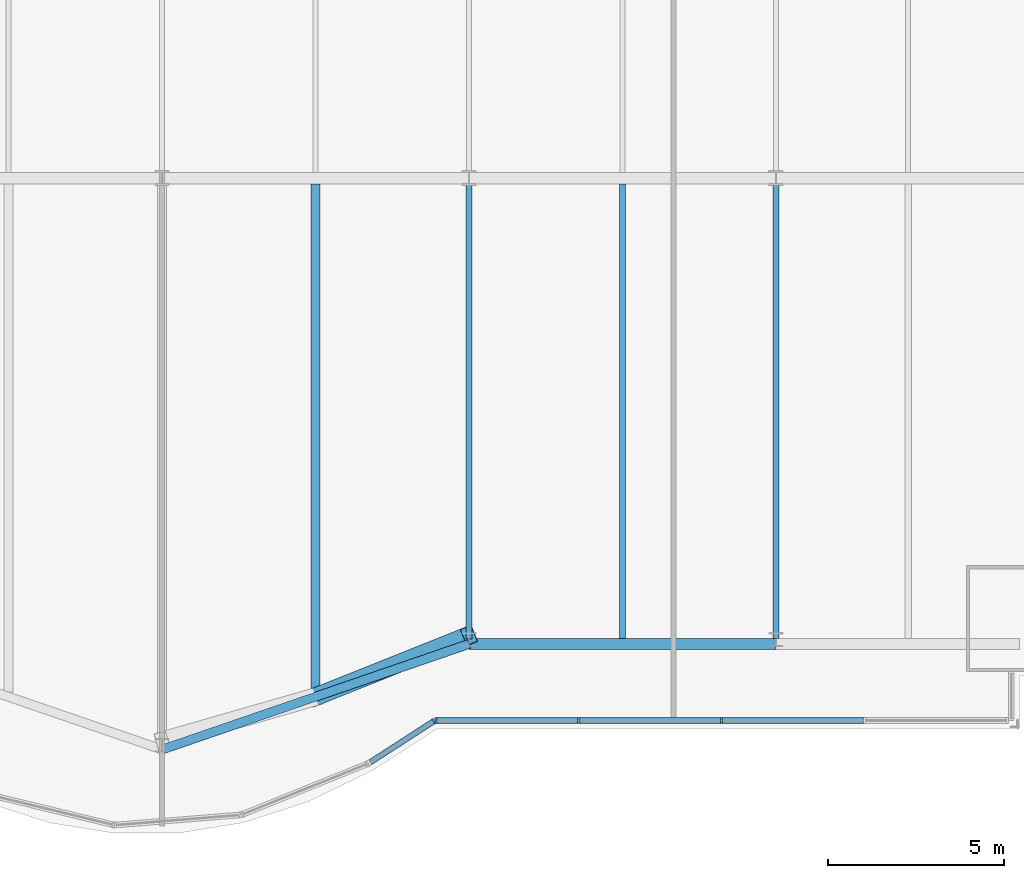
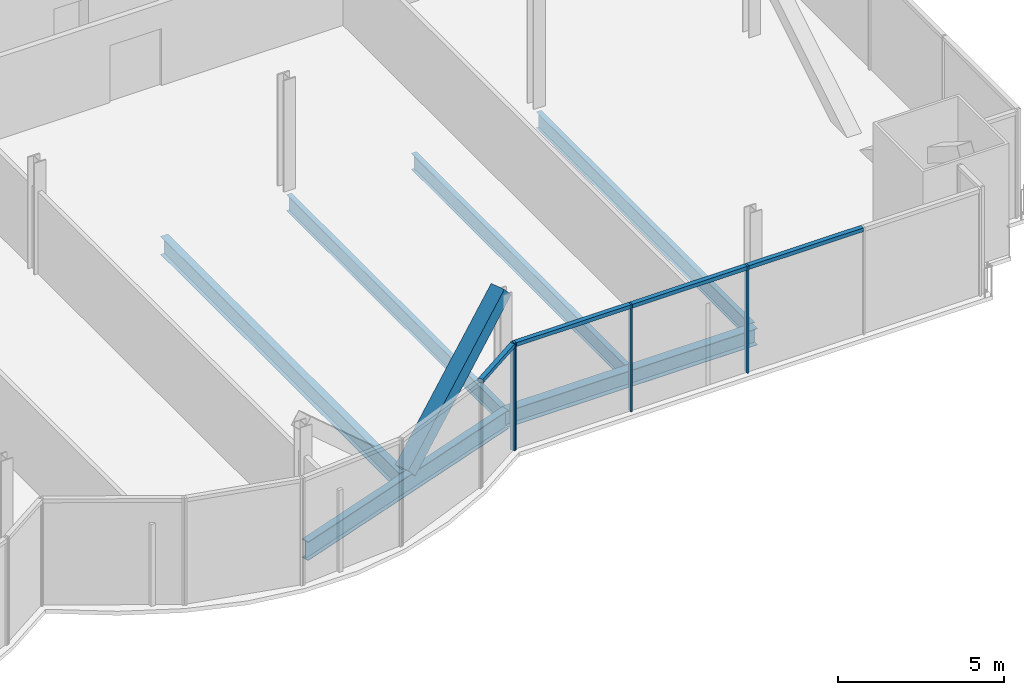
# One storey, part 8 of 21: 9 members, 6 beams, 2 elements without a shape of their own.
"""IFC4 building model written with IfcOpenShell, lengths in metres."""

from ifc_helpers import new_model, si_unit, direction, frame, origin, origin_2d, place, context, subcontext, project, spatial, rectangle, hollow_rectangle, i_section, extrude, material, material_profile, profile_set, type_object, element, aggregate, save


model = new_model("IFC4")

# Units and contexts
model_context = context("Model", 3, precision=1e-05, world=origin(), true_north=direction((0.0, 1.0)))
body_context = subcontext(model_context, "Body", "Model", "MODEL_VIEW")
ifc_project = project(units=[si_unit("LENGTHUNIT", "METRE"), si_unit("AREAUNIT", "SQUARE_METRE"), si_unit("VOLUMEUNIT", "CUBIC_METRE"), si_unit("PLANEANGLEUNIT", "RADIAN"), si_unit("MASSUNIT", "GRAM", prefix="KILO")], contexts=[model_context])

# Site, building, storey
site_placement = place(None, origin())
site = spatial("IfcSite", under=ifc_project, at=site_placement, CompositionType="ELEMENT")
building_placement = place(site_placement, origin())
building = spatial("IfcBuilding", under=site, at=building_placement, Name="Bicima Exchange Tower", CompositionType="ELEMENT")
storey_placement = place(building_placement, frame((0.0, 0.0, 114.5)))
storey = spatial("IfcBuildingStorey", under=building, at=storey_placement, Name="L24", CompositionType="ELEMENT", Elevation=114.5)

# Beams
ifc_material_1 = material(Name="Steel ASTM A992 Gr 50", Category="steel")
ifc_material_profile_1 = material_profile(ifc_material_1, i_section(OverallWidth=0.177978515625, OverallDepth=0.599365234375, WebThickness=0.010009765625, FlangeThickness=0.012939453125, at=origin_2d()))
ifc_profile_set_1 = profile_set([ifc_material_profile_1], Name="Steel ASTM A992 Gr 50")
beam_type_1 = type_object("IfcBeamType", Name="Floor beam W24x55", PredefinedType="JOIST", material=ifc_profile_set_1)
beam_1_placement = place(storey_placement, frame((17.39990234375, -22.16259765625, -0.44970703125), z_axis=(0.0, -1.0, 0.0), x_axis=(1.0, 0.0, 0.0)))
element("IfcBeam", 1, at=beam_1_placement, inside=storey, type_object=beam_type_1, Name="Floor beam", PredefinedType="JOIST", context=body_context, shape_type="SweptSolid", body=[
    extrude(i_section(OverallWidth=0.177978515625, OverallDepth=0.599365234375, WebThickness=0.010009765625, FlangeThickness=0.012939453125, at=origin_2d()), origin(), (0.0, 0.0, 1.0), 12.909912109375),
])
for number, where, z_axis, x_axis, name in (
    (2, (21.75, -22.16259765625, -0.44970703125), (0.0, -1.0, 0.0), (1.0, 0.0, 0.0), "Floor beam"),
    (3, (26.10009765625, -22.16259765625, -0.44970703125), (0.0, -1.0, 0.0), (1.0, 0.0, 0.0), "Floor beam"),
):
    element("IfcBeam", number, at=place(storey_placement, frame(where, z_axis=z_axis, x_axis=x_axis)), inside=storey, type_object=beam_type_1, Name=name, PredefinedType="JOIST", context=body_context, shape_type="SweptSolid", body=[
        extrude(i_section(OverallWidth=0.177978515625, OverallDepth=0.599365234375, WebThickness=0.010009765625, FlangeThickness=0.012939453125, at=origin_2d()), origin(), (0.0, 0.0, 1.0), 12.8828125),
    ])
ifc_material_profile_2 = material_profile(ifc_material_1, i_section(OverallWidth=0.25390625, OverallDepth=0.67822265625, WebThickness=0.01171875, FlangeThickness=0.016357421875, at=origin_2d()))
ifc_profile_set_2 = profile_set([ifc_material_profile_2], Name="Steel ASTM A992 Gr 50")
beam_type_2 = type_object("IfcBeamType", Name="Floor beam W27x84", PredefinedType="JOIST", material=ifc_profile_set_2)
beam_2_placement = place(storey_placement, frame((13.050048828125, -22.16259765625, -0.489013671875), z_axis=(0.0, -1.0, 0.0), x_axis=(1.0, 0.0, 0.0)))
element("IfcBeam", 4, at=beam_2_placement, inside=storey, type_object=beam_type_2, Name="Floor beam", PredefinedType="JOIST", context=body_context, shape_type="SweptSolid", body=[
    extrude(i_section(OverallWidth=0.25390625, OverallDepth=0.67822265625, WebThickness=0.01171875, FlangeThickness=0.016357421875, at=origin_2d()), origin(), (0.0, 0.0, 1.0), 14.4052734375),
])
ifc_material_profile_3 = material_profile(ifc_material_1, i_section(OverallWidth=0.3251953125, OverallDepth=0.612060546875, WebThickness=0.0126953125, FlangeThickness=0.01904296875, at=origin_2d()))
ifc_profile_set_3 = profile_set([ifc_material_profile_3], Name="Steel ASTM A992 Gr 50")
beam_type_3 = type_object("IfcBeamType", Name="Front girder W24x104", PredefinedType="BEAM", material=ifc_profile_set_3)
beam_3_placement = place(storey_placement, frame((17.39990234375, -35.2080078125, -0.4560546875), z_axis=(1.0, 0.0, 0.0), x_axis=(0.0, 1.0, 0.0)))
element("IfcBeam", 5, at=beam_3_placement, inside=storey, type_object=beam_type_3, Name="Front girder", PredefinedType="BEAM", context=body_context, shape_type="SweptSolid", body=[
    extrude(i_section(OverallWidth=0.3251953125, OverallDepth=0.612060546875, WebThickness=0.0126953125, FlangeThickness=0.01904296875, at=origin_2d()), origin(), (0.0, 0.0, 1.0), 8.7001953125),
])
ifc_material_profile_4 = material_profile(ifc_material_1, i_section(OverallWidth=0.256591796875, OverallDepth=0.693359375, WebThickness=0.014404296875, FlangeThickness=0.023681640625, at=origin_2d()))
ifc_profile_set_4 = profile_set([ifc_material_profile_4], Name="Steel ASTM A992 Gr 50")
beam_type_4 = type_object("IfcBeamType", Name="Front girder W27x114", PredefinedType="BEAM", material=ifc_profile_set_4)
beam_4_placement = place(storey_placement, frame((8.699951171875, -38.19921875, -0.49658203125), z_axis=(0.945666456746, 0.325138359143, 0.0), x_axis=(-0.325138359143, 0.945666456746, 0.0)))
element("IfcBeam", 6, at=beam_4_placement, inside=storey, type_object=beam_type_4, Name="Front girder", PredefinedType="BEAM", context=body_context, shape_type="SweptSolid", body=[
    extrude(i_section(OverallWidth=0.256591796875, OverallDepth=0.693359375, WebThickness=0.014404296875, FlangeThickness=0.023681640625, at=origin_2d()), origin(), (0.0, 0.0, 1.0), 9.19970703125),
])

# Curtain wall, member
ifc_material_2 = material(Name="Anodised bronze aluminium", Category="aluminium")
curtain_wall_type = type_object("IfcCurtainWallType", Name="Front glass wall", PredefinedType="NOTDEFINED", material=ifc_material_2)
curtain_wall_1_placement = place(storey_placement, origin())
curtain_wall_1 = element("IfcCurtainWall", 7, at=curtain_wall_1_placement, inside=storey, type_object=curtain_wall_type, Name="Front glass wall L24 run 11", PredefinedType="NOTDEFINED")
ifc_material_profile_5 = material_profile(ifc_material_2, rectangle(XDim=0.159912109375, YDim=0.06005859375, at=origin_2d()))
ifc_profile_set_5 = profile_set([ifc_material_profile_5], Name="Anodised bronze aluminium")
member_type_1 = type_object("IfcMemberType", Name="Front glass wall mullion 60 x 160", PredefinedType="MULLION", material=ifc_profile_set_5)
member_1_placement = place(storey_placement, frame((16.406982421875, -37.394287109375, 0.0), z_axis=(0.0, 0.0, 1.0), x_axis=(-0.542909183079, 0.839791413941, 0.0)))
member_1 = element("IfcMember", 8, at=member_1_placement, type_object=member_type_1, Name="Front glass wall mullion 2", PredefinedType="MULLION", context=body_context, shape_type="SweptSolid", body=[
    extrude(rectangle(XDim=0.159912109375, YDim=0.06005859375, at=origin_2d()), origin(), (0.0, 0.0, 1.0), 3.949951171875),
])

# Curtain wall, members
curtain_wall_2_placement = place(storey_placement, origin())
curtain_wall_2 = element("IfcCurtainWall", 9, at=curtain_wall_2_placement, inside=storey, type_object=curtain_wall_type, Name="Front glass wall L24 run 16", PredefinedType="NOTDEFINED")
member_2_placement = place(storey_placement, frame((16.462158203125, -37.3779296875, 0.0), z_axis=(0.0, 0.0, 1.0), x_axis=(0.0, 1.0, 0.0)))
member_2 = element("IfcMember", 10, at=member_2_placement, type_object=member_type_1, Name="Front glass wall mullion 1", PredefinedType="MULLION", context=body_context, shape_type="SweptSolid", body=[
    extrude(rectangle(XDim=0.159912109375, YDim=0.06005859375, at=origin_2d()), origin(), (0.0, 0.0, 1.0), 3.949951171875),
])
member_3_placement = place(storey_placement, frame((20.51171875, -37.3779296875, 0.0), z_axis=(0.0, 0.0, 1.0), x_axis=(0.0, 1.0, 0.0)))
member_3 = element("IfcMember", 11, at=member_3_placement, type_object=member_type_1, Name="Front glass wall mullion 2", PredefinedType="MULLION", context=body_context, shape_type="SweptSolid", body=[
    extrude(rectangle(XDim=0.159912109375, YDim=0.06005859375, at=origin_2d()), origin(), (0.0, 0.0, 1.0), 3.949951171875),
])
member_4_placement = place(storey_placement, frame((24.56103515625, -37.3779296875, 0.0), z_axis=(0.0, 0.0, 1.0), x_axis=(0.0, 1.0, 0.0)))
member_4 = element("IfcMember", 12, at=member_4_placement, type_object=member_type_1, Name="Front glass wall mullion 3", PredefinedType="MULLION", context=body_context, shape_type="SweptSolid", body=[
    extrude(rectangle(XDim=0.159912109375, YDim=0.06005859375, at=origin_2d()), origin(), (0.0, 0.0, 1.0), 3.949951171875),
])

# Member
ifc_material_profile_6 = material_profile(ifc_material_2, rectangle(XDim=0.159912109375, YDim=0.139892578125, at=origin_2d()))
ifc_profile_set_6 = profile_set([ifc_material_profile_6], Name="Anodised bronze aluminium")
member_type_2 = type_object("IfcMemberType", Name="Front glass wall transom 140 x 160", PredefinedType="USERDEFINED", material=ifc_profile_set_6)
member_5_placement = place(storey_placement, frame((14.60400390625, -38.559814453125, 3.8798828125), z_axis=(0.839792890287, 0.542906899407, 0.0), x_axis=(-0.542906899407, 0.839792890287, 0.0)))
member_5 = element("IfcMember", 13, at=member_5_placement, type_object=member_type_2, Name="Front glass wall transom 1.1", ObjectType="TRANSOM", PredefinedType="USERDEFINED", context=body_context, shape_type="SweptSolid", body=[
    extrude(rectangle(XDim=0.159912109375, YDim=0.139892578125, at=origin_2d()), origin(), (0.0, 0.0, 1.0), 2.11669921875),
])

aggregate(curtain_wall_1, [member_1, member_5])

member_6_placement = place(storey_placement, frame((16.4921875, -37.3779296875, 3.8798828125), z_axis=(1.0, 0.0, 0.0), x_axis=(0.0, 1.0, 0.0)))
member_6 = element("IfcMember", 14, at=member_6_placement, type_object=member_type_2, Name="Front glass wall transom 1.1", ObjectType="TRANSOM", PredefinedType="USERDEFINED", context=body_context, shape_type="SweptSolid", body=[
    extrude(rectangle(XDim=0.159912109375, YDim=0.139892578125, at=origin_2d()), origin(), (0.0, 0.0, 1.0), 3.989501953125),
])

member_7_placement = place(storey_placement, frame((20.54150390625, -37.3779296875, 3.8798828125), z_axis=(1.0, 0.0, 0.0), x_axis=(0.0, 1.0, 0.0)))
member_7 = element("IfcMember", 15, at=member_7_placement, type_object=member_type_2, Name="Front glass wall transom 2.1", ObjectType="TRANSOM", PredefinedType="USERDEFINED", context=body_context, shape_type="SweptSolid", body=[
    extrude(rectangle(XDim=0.159912109375, YDim=0.139892578125, at=origin_2d()), origin(), (0.0, 0.0, 1.0), 3.989501953125),
])

member_8_placement = place(storey_placement, frame((24.591064453125, -37.3779296875, 3.8798828125), z_axis=(1.0, 0.0, 0.0), x_axis=(0.0, 1.0, 0.0)))
member_8 = element("IfcMember", 16, at=member_8_placement, type_object=member_type_2, Name="Front glass wall transom 3.1", ObjectType="TRANSOM", PredefinedType="USERDEFINED", context=body_context, shape_type="SweptSolid", body=[
    extrude(rectangle(XDim=0.159912109375, YDim=0.139892578125, at=origin_2d()), origin(), (0.0, 0.0, 1.0), 3.989501953125),
])

aggregate(curtain_wall_2, [member_2, member_3, member_4, member_6, member_7, member_8])

ifc_material_3 = material(Name="Steel ASTM A572 Gr 50", Category="steel")
ifc_material_profile_7 = material_profile(ifc_material_3, hollow_rectangle(XDim=0.508056640625, YDim=0.508056640625, WallThickness=0.0146484375, at=origin_2d()))
ifc_profile_set_7 = profile_set([ifc_material_profile_7], Name="Steel ASTM A572 Gr 50")
member_type_3 = type_object("IfcMemberType", Name="Mega brace HSS20x20x5/8", PredefinedType="BRACE", material=ifc_profile_set_7)
member_9_placement = place(storey_placement, frame((13.050048828125, -36.70361328125, 0.0), z_axis=(0.69870612412, 0.279411861388, 0.658588463179), x_axis=(-0.371309808925, 0.928509033772, 0.0)))
element("IfcMember", 17, at=member_9_placement, inside=storey, type_object=member_type_3, Name="Mega brace front", PredefinedType="BRACE", context=body_context, shape_type="SweptSolid", body=[
    extrude(hollow_rectangle(XDim=0.508056640625, YDim=0.508056640625, WallThickness=0.0146484375, at=origin_2d()), origin(), (0.0, 0.0, 1.0), 6.2255859375),
])

save(model, "model.ifc")
